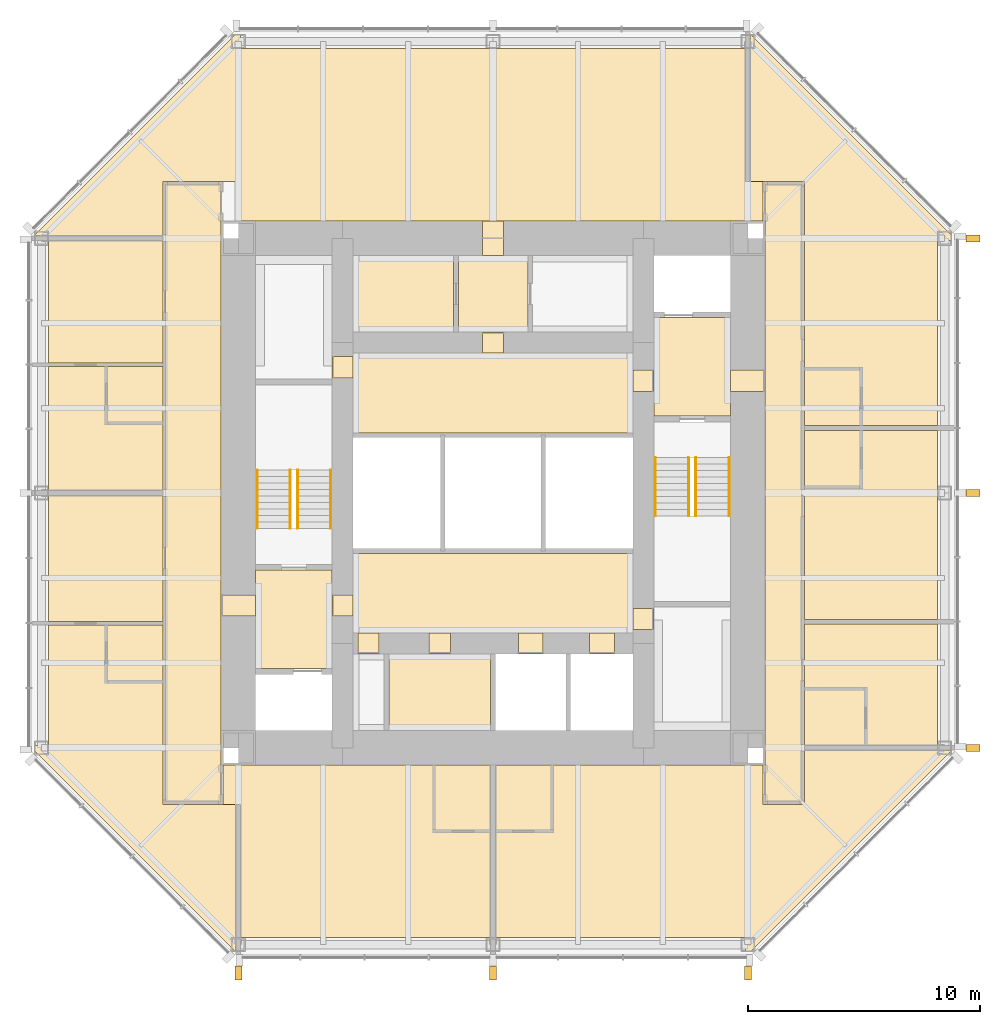
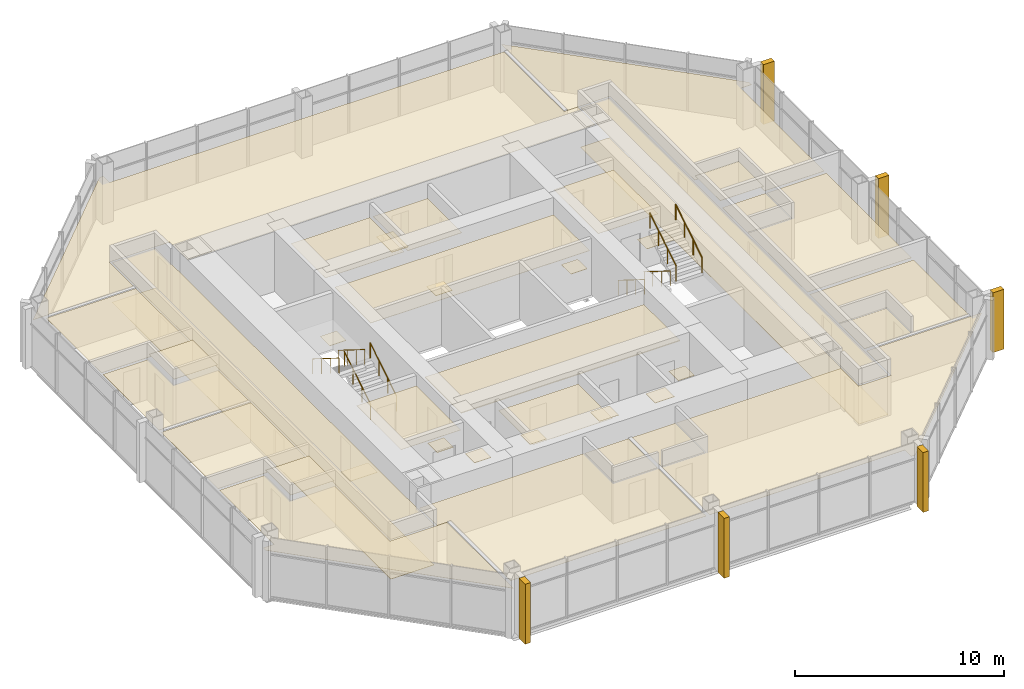
# One storey, part 11 of 11: 46 coverings, 8 railings.
"""IFC4 building model written with IfcOpenShell, lengths in metres."""

from ifc_helpers import new_model, si_unit, direction, frame, origin, origin_2d, place, context, subcontext, project, spatial, polyline, rectangle, circle, outline, extrude, material, layer, layer_set, type_object, element, save


model = new_model("IFC4")

# Units and contexts
model_context = context("Model", 3, precision=1e-05, world=origin(), true_north=direction((0.0, 1.0)))
body_context = subcontext(model_context, "Body", "Model", "MODEL_VIEW")
ifc_project = project(units=[si_unit("LENGTHUNIT", "METRE"), si_unit("AREAUNIT", "SQUARE_METRE"), si_unit("VOLUMEUNIT", "CUBIC_METRE"), si_unit("PLANEANGLEUNIT", "RADIAN"), si_unit("MASSUNIT", "GRAM", prefix="KILO")], contexts=[model_context])

# Site, building, storey
site_placement = place(None, origin())
site = spatial("IfcSite", under=ifc_project, at=site_placement, CompositionType="ELEMENT")
building_placement = place(site_placement, origin())
building = spatial("IfcBuilding", under=site, at=building_placement, Name="Trevanion Tower", CompositionType="ELEMENT")
storey_placement = place(building_placement, frame((0.0, 0.0, 253.699951171875)))
storey = spatial("IfcBuildingStorey", under=building, at=storey_placement, Name="L62", CompositionType="ELEMENT", Elevation=253.699951171875)

# Coverings
ifc_material_1 = material(Name="Fibrous plaster coffers on suspended steel grid", Category="steel")
ifc_layer_1 = layer(ifc_material_1, 0.050048828125)
ifc_layer_set_1 = layer_set([ifc_layer_1], Name="CL1 coffered fibrous plaster ceiling 50")
covering_type_1 = type_object("IfcCoveringType", Name="CL1 coffered fibrous plaster ceiling 50", PredefinedType="CEILING", material=ifc_layer_set_1)
covering_1_placement = place(storey_placement, frame((0.0, 0.0, 2.429931640625)))
element("IfcCovering", 1, at=covering_1_placement, inside=storey, type_object=covering_type_1, Name="CL1 L62-LBS", PredefinedType="CEILING", context=body_context, shape_type="SweptSolid", body=[
    extrude(outline(polyline([(6.050048828125, -6.050048828125), (6.050048828125, -2.60009765625), (-6.050048828125, -2.60009765625), (-6.050048828125, -6.050048828125), (6.050048828125, -6.050048828125)])), origin(), (0.0, 0.0, 1.0), 0.050048828125),
])
ifc_material_2 = material(Name="Mineral fibre acoustic tiles in exposed grid", Category="mineral fibre")
ifc_layer_2 = layer(ifc_material_2, 0.02001953125)
ifc_layer_set_2 = layer_set([ifc_layer_2], Name="CL2 acoustic tile ceiling 20")
covering_type_2 = type_object("IfcCoveringType", Name="CL2 acoustic tile ceiling 20", PredefinedType="CEILING", material=ifc_layer_set_2)
covering_2_placement = place(storey_placement, frame((0.0, 0.0, 2.4599609375)))
element("IfcCovering", 2, at=covering_2_placement, inside=storey, type_object=covering_type_2, Name="CL2 L62-LBN", PredefinedType="CEILING", context=body_context, shape_type="SweptSolid", body=[
    extrude(outline(polyline([(6.050048828125, 2.60009765625), (6.050048828125, 6.050048828125), (-6.050048828125, 6.050048828125), (-6.050048828125, 2.60009765625), (6.050048828125, 2.60009765625)])), origin(), (0.0, 0.0, 1.0), 0.02001953125),
])
covering_3_placement = place(storey_placement, frame((0.0, 0.0, 2.4599609375)))
element("IfcCovering", 3, at=covering_3_placement, inside=storey, type_object=covering_type_2, Name="CL2 L62-HKC", PredefinedType="CEILING", context=body_context, shape_type="SweptSolid", body=[
    extrude(outline(polyline([(1.5, 6.949951171875), (1.5, 10.25), (-1.5, 10.25), (-1.5, 6.949951171875), (1.5, 6.949951171875)])), origin(), (0.0, 0.0, 1.0), 0.02001953125),
])
covering_4_placement = place(storey_placement, frame((0.0, 0.0, 2.31298828125)))
element("IfcCovering", 4, at=covering_4_placement, inside=storey, type_object=covering_type_2, Name="CL2 L62-CO1", PredefinedType="CEILING", context=body_context, shape_type="SweptSolid", body=[
    extrude(outline(polyline([(-11.75, 13.35009765625), (-11.75, -13.35009765625), (-14.14990234375, -13.35009765625), (-14.14990234375, 13.35009765625), (-11.75, 13.35009765625)])), origin(), (0.0, 0.0, 1.0), 0.02001953125),
])
covering_5_placement = place(storey_placement, frame((0.0, 0.0, 2.31298828125)))
element("IfcCovering", 5, at=covering_5_placement, inside=storey, type_object=covering_type_2, Name="CL2 L62-CO2", PredefinedType="CEILING", context=body_context, shape_type="SweptSolid", body=[
    extrude(outline(polyline([(11.75, -13.35009765625), (11.75, 13.35009765625), (13.35009765625, 13.35009765625), (13.35009765625, -13.35009765625), (11.75, -13.35009765625)])), origin(), (0.0, 0.0, 1.0), 0.02001953125),
])
ifc_material_3 = material(Name="Gypsum plasterboard on suspended metal furring", Category="gypsum")
ifc_layer_3 = layer(ifc_material_3, 0.012939453125)
ifc_layer_set_3 = layer_set([ifc_layer_3], Name="CL3 plasterboard ceiling 13")
covering_type_3 = type_object("IfcCoveringType", Name="CL3 plasterboard ceiling 13", PredefinedType="CEILING", material=ifc_layer_set_3)
covering_6_placement = place(storey_placement, frame((0.0, 0.0, 2.699951171875)))
element("IfcCovering", 6, at=covering_6_placement, inside=storey, type_object=covering_type_3, Name="CL3 L62-FV1", PredefinedType="CEILING", context=body_context, shape_type="SweptSolid", body=[
    extrude(outline(polyline([(10.25, 3.324951171875), (10.25, 7.574951171875), (6.949951171875, 7.574951171875), (6.949951171875, 3.324951171875), (10.25, 3.324951171875)])), origin(), (0.0, 0.0, 1.0), 0.01318359375),
])
covering_7_placement = place(storey_placement, frame((0.0, 0.0, 2.699951171875)))
element("IfcCovering", 7, at=covering_7_placement, inside=storey, type_object=covering_type_3, Name="CL3 L62-FV2", PredefinedType="CEILING", context=body_context, shape_type="SweptSolid", body=[
    extrude(outline(polyline([(-10.25, -3.324951171875), (-10.25, -7.574951171875), (-6.949951171875, -7.574951171875), (-6.949951171875, -3.324951171875), (-10.25, -3.324951171875)])), origin(), (0.0, 0.0, 1.0), 0.01318359375),
])
covering_8_placement = place(storey_placement, frame((0.0, 0.0, 2.320068359375)))
element("IfcCovering", 8, at=covering_8_placement, inside=storey, type_object=covering_type_3, Name="CL3 L62-GA", PredefinedType="CEILING", context=body_context, shape_type="SweptSolid", body=[
    extrude(outline(polyline([(13.449951171875, -5.64892578125), (19.199951171875, -5.64892578125), (19.199951171875, -10.89990234375), (16.10009765625, -10.89990234375), (16.10009765625, -8.449951171875), (13.449951171875, -8.449951171875), (13.449951171875, -5.64892578125)])), origin(), (0.0, 0.0, 1.0), 0.012939453125),
])
covering_9_placement = place(storey_placement, frame((0.0, 0.0, 2.320068359375)))
element("IfcCovering", 9, at=covering_9_placement, inside=storey, type_object=covering_type_3, Name="CL3 L62-GJ", PredefinedType="CEILING", context=body_context, shape_type="SweptSolid", body=[
    extrude(outline(polyline([(13.449951171875, 0.257080078125), (15.89990234375, 0.257080078125), (15.89990234375, 2.70703125), (19.199951171875, 2.70703125), (19.199951171875, -5.448974609375), (13.449951171875, -5.448974609375), (13.449951171875, 0.257080078125)])), origin(), (0.0, 0.0, 1.0), 0.012939453125),
])
covering_10_placement = place(storey_placement, frame((0.0, 0.0, 2.320068359375)))
element("IfcCovering", 10, at=covering_10_placement, inside=storey, type_object=covering_type_3, Name="CL3 L62-GJ2", PredefinedType="CEILING", context=body_context, shape_type="SweptSolid", body=[
    extrude(outline(polyline([(11.10009765625, 13.449951171875), (11.10009765625, 19.800048828125), (11.124267578125, 19.800048828125), (19.800048828125, 11.124267578125), (19.800048828125, 10.89990234375), (19.199951171875, 10.89990234375), (19.199951171875, 2.906982421875), (15.89990234375, 2.906982421875), (15.89990234375, 5.35693359375), (13.449951171875, 5.35693359375), (13.449951171875, 13.449951171875), (11.10009765625, 13.449951171875)])), origin(), (0.0, 0.0, 1.0), 0.012939453125),
])
covering_11_placement = place(storey_placement, frame((0.0, 0.0, 2.320068359375)))
element("IfcCovering", 11, at=covering_11_placement, inside=storey, type_object=covering_type_3, Name="CL3 L62-CL", PredefinedType="CEILING", context=body_context, shape_type="SweptSolid", body=[
    extrude(outline(polyline([(-14.25, 11.10009765625), (-19.800048828125, 11.10009765625), (-19.800048828125, 11.124267578125), (-11.124267578125, 19.800048828125), (-10.89990234375, 19.800048828125), (-10.89990234375, 19.199951171875), (10.89990234375, 19.199951171875), (10.89990234375, 13.449951171875), (11.64990234375, 13.449951171875), (11.64990234375, 11.75), (-10.89990234375, 11.75), (-10.89990234375, 13.449951171875), (-14.25, 13.449951171875), (-14.25, 11.10009765625)])), origin(), (0.0, 0.0, 1.0), 0.012939453125),
])
covering_12_placement = place(storey_placement, frame((0.0, 0.0, 2.320068359375)))
element("IfcCovering", 12, at=covering_12_placement, inside=storey, type_object=covering_type_3, Name="CL3 L62-SL", PredefinedType="CEILING", context=body_context, shape_type="SweptSolid", body=[
    extrude(outline(polyline([(-14.25, 10.89990234375), (-14.25, 5.6240234375), (-19.199951171875, 5.6240234375), (-19.199951171875, 10.89990234375), (-14.25, 10.89990234375)])), origin(), (0.0, 0.0, 1.0), 0.012939453125),
])
covering_13_placement = place(storey_placement, frame((0.0, 0.0, 2.320068359375)))
element("IfcCovering", 13, at=covering_13_placement, inside=storey, type_object=covering_type_3, Name="CL3 L62-SB", PredefinedType="CEILING", context=body_context, shape_type="SweptSolid", body=[
    extrude(outline(polyline([(-14.25, 0.10009765625), (-19.199951171875, 0.10009765625), (-19.199951171875, 5.47412109375), (-16.699951171875, 5.47412109375), (-16.699951171875, 3.02392578125), (-14.25, 3.02392578125), (-14.25, 0.10009765625)])), origin(), (0.0, 0.0, 1.0), 0.012939453125),
])
covering_14_placement = place(storey_placement, frame((0.0, 0.0, 2.320068359375)))
element("IfcCovering", 14, at=covering_14_placement, inside=storey, type_object=covering_type_3, Name="CL3 L62-SL2", PredefinedType="CEILING", context=body_context, shape_type="SweptSolid", body=[
    extrude(outline(polyline([(-14.25, -0.10009765625), (-14.25, -5.5390625), (-19.199951171875, -5.5390625), (-19.199951171875, -0.10009765625), (-14.25, -0.10009765625)])), origin(), (0.0, 0.0, 1.0), 0.012939453125),
])
covering_15_placement = place(storey_placement, frame((0.0, 0.0, 2.320068359375)))
element("IfcCovering", 15, at=covering_15_placement, inside=storey, type_object=covering_type_3, Name="CL3 L62-SB2", PredefinedType="CEILING", context=body_context, shape_type="SweptSolid", body=[
    extrude(outline(polyline([(-11.10009765625, -13.449951171875), (-11.10009765625, -19.800048828125), (-11.124267578125, -19.800048828125), (-19.800048828125, -11.124267578125), (-19.800048828125, -10.89990234375), (-19.199951171875, -10.89990234375), (-19.199951171875, -5.68896484375), (-16.699951171875, -5.68896484375), (-16.699951171875, -8.138916015625), (-14.25, -8.138916015625), (-14.25, -13.449951171875), (-11.10009765625, -13.449951171875)])), origin(), (0.0, 0.0, 1.0), 0.012939453125),
])
covering_16_placement = place(storey_placement, frame((0.0, 0.0, 2.320068359375)))
element("IfcCovering", 16, at=covering_16_placement, inside=storey, type_object=covering_type_3, Name="CL3 L62-GB", PredefinedType="CEILING", context=body_context, shape_type="SweptSolid", body=[
    extrude(outline(polyline([(-0.10009765625, -19.199951171875), (-10.89990234375, -19.199951171875), (-10.89990234375, -13.449951171875), (-11.64990234375, -13.449951171875), (-11.64990234375, -11.75), (-2.550048828125, -11.75), (-2.550048828125, -14.60009765625), (-0.10009765625, -14.60009765625), (-0.10009765625, -19.199951171875)])), origin(), (0.0, 0.0, 1.0), 0.012939453125),
])
covering_17_placement = place(storey_placement, frame((0.0, 0.0, 2.320068359375)))
element("IfcCovering", 17, at=covering_17_placement, inside=storey, type_object=covering_type_3, Name="CL3 L62-GB2", PredefinedType="CEILING", context=body_context, shape_type="SweptSolid", body=[
    extrude(outline(polyline([(13.449951171875, -11.10009765625), (19.800048828125, -11.10009765625), (19.800048828125, -11.124267578125), (11.124267578125, -19.800048828125), (10.89990234375, -19.800048828125), (10.89990234375, -19.199951171875), (0.10009765625, -19.199951171875), (0.10009765625, -14.60009765625), (2.550048828125, -14.60009765625), (2.550048828125, -11.75), (11.64990234375, -11.75), (11.64990234375, -13.449951171875), (13.449951171875, -13.449951171875), (13.449951171875, -11.10009765625)])), origin(), (0.0, 0.0, 1.0), 0.012939453125),
])
ifc_material_4 = material(Name="Moisture-resistant gypsum board on suspended metal furring", Category="gypsum")
ifc_layer_4 = layer(ifc_material_4, 0.01611328125)
ifc_layer_set_4 = layer_set([ifc_layer_4], Name="CL4 moisture-resistant board ceiling 16")
covering_type_4 = type_object("IfcCoveringType", Name="CL4 moisture-resistant board ceiling 16", PredefinedType="CEILING", material=ifc_layer_set_4)
covering_18_placement = place(storey_placement, frame((0.0, 0.0, 2.60009765625)))
element("IfcCovering", 18, at=covering_18_placement, inside=storey, type_object=covering_type_4, Name="CL4 L62-SI2", PredefinedType="CEILING", context=body_context, shape_type="SweptSolid", body=[
    extrude(outline(polyline([(-0.10009765625, -10.25), (-0.10009765625, -6.949951171875), (-4.5, -6.949951171875), (-4.5, -10.25), (-0.10009765625, -10.25)])), origin(), (0.0, 0.0, 1.0), 0.015869140625),
])
covering_19_placement = place(storey_placement, frame((0.0, 0.0, 2.464111328125)))
element("IfcCovering", 19, at=covering_19_placement, inside=storey, type_object=covering_type_4, Name="CL4 L62-HK", PredefinedType="CEILING", context=body_context, shape_type="SweptSolid", body=[
    extrude(outline(polyline([(-1.699951171875, 6.949951171875), (-1.699951171875, 10.25), (-6.050048828125, 10.25), (-6.050048828125, 6.949951171875), (-1.699951171875, 6.949951171875)])), origin(), (0.0, 0.0, 1.0), 0.015869140625),
])
covering_20_placement = place(storey_placement, frame((0.0, 0.0, 2.317138671875)))
element("IfcCovering", 20, at=covering_20_placement, inside=storey, type_object=covering_type_4, Name="CL4 L62-EN", PredefinedType="CEILING", context=body_context, shape_type="SweptSolid", body=[
    extrude(outline(polyline([(16.050048828125, -10.89990234375), (16.050048828125, -8.5), (13.449951171875, -8.5), (13.449951171875, -10.89990234375), (16.050048828125, -10.89990234375)])), origin(), (0.0, 0.0, 1.0), 0.015869140625),
])
covering_21_placement = place(storey_placement, frame((0.0, 0.0, 2.317138671875)))
element("IfcCovering", 21, at=covering_21_placement, inside=storey, type_object=covering_type_4, Name="CL4 L62-EN2", PredefinedType="CEILING", context=body_context, shape_type="SweptSolid", body=[
    extrude(outline(polyline([(15.85009765625, 0.306884765625), (15.85009765625, 2.70703125), (13.449951171875, 2.70703125), (13.449951171875, 0.306884765625), (15.85009765625, 0.306884765625)])), origin(), (0.0, 0.0, 1.0), 0.015869140625),
])
covering_22_placement = place(storey_placement, frame((0.0, 0.0, 2.60009765625)))
element("IfcCovering", 22, at=covering_22_placement, inside=storey, type_object=covering_type_4, Name="CL4 L62-EN3", PredefinedType="CEILING", context=body_context, shape_type="SweptSolid", body=[
    extrude(outline(polyline([(15.85009765625, 2.906982421875), (15.85009765625, 5.306884765625), (13.449951171875, 5.306884765625), (13.449951171875, 2.906982421875), (15.85009765625, 2.906982421875)])), origin(), (0.0, 0.0, 1.0), 0.015869140625),
])
covering_23_placement = place(storey_placement, frame((0.0, 0.0, 2.60009765625)))
element("IfcCovering", 23, at=covering_23_placement, inside=storey, type_object=covering_type_4, Name="CL4 L62-SN", PredefinedType="CEILING", context=body_context, shape_type="SweptSolid", body=[
    extrude(outline(polyline([(-16.64990234375, 5.47412109375), (-16.64990234375, 3.073974609375), (-14.25, 3.073974609375), (-14.25, 5.47412109375), (-16.64990234375, 5.47412109375)])), origin(), (0.0, 0.0, 1.0), 0.015869140625),
])
covering_24_placement = place(storey_placement, frame((0.0, 0.0, 2.60009765625)))
element("IfcCovering", 24, at=covering_24_placement, inside=storey, type_object=covering_type_4, Name="CL4 L62-SN2", PredefinedType="CEILING", context=body_context, shape_type="SweptSolid", body=[
    extrude(outline(polyline([(-16.64990234375, -5.68896484375), (-16.64990234375, -8.089111328125), (-14.25, -8.089111328125), (-14.25, -5.68896484375), (-16.64990234375, -5.68896484375)])), origin(), (0.0, 0.0, 1.0), 0.015869140625),
])
covering_25_placement = place(storey_placement, frame((0.0, 0.0, 2.317138671875)))
element("IfcCovering", 25, at=covering_25_placement, inside=storey, type_object=covering_type_4, Name="CL4 L62-EN4", PredefinedType="CEILING", context=body_context, shape_type="SweptSolid", body=[
    extrude(outline(polyline([(-2.5, -14.550048828125), (-0.10009765625, -14.550048828125), (-0.10009765625, -11.75), (-2.5, -11.75), (-2.5, -14.550048828125)])), origin(), (0.0, 0.0, 1.0), 0.015869140625),
])
covering_26_placement = place(storey_placement, frame((0.0, 0.0, 2.317138671875)))
element("IfcCovering", 26, at=covering_26_placement, inside=storey, type_object=covering_type_4, Name="CL4 L62-EN5", PredefinedType="CEILING", context=body_context, shape_type="SweptSolid", body=[
    extrude(outline(polyline([(0.10009765625, -14.550048828125), (2.5, -14.550048828125), (2.5, -11.75), (0.10009765625, -11.75), (0.10009765625, -14.550048828125)])), origin(), (0.0, 0.0, 1.0), 0.015869140625),
])
ifc_material_5 = material(Name="Cast bronze fin on aluminium carrier", Category="aluminium")
covering_type_5 = type_object("IfcCoveringType", Name="F1 bronze fin", PredefinedType="CLADDING", material=ifc_material_5)
for number, where, z_axis, x_axis, name in (
    (27, (20.72509765625, -11.0, -0.18994140625), (0.0, 0.0, 1.0), (0.0, 1.0, 0.0), "F1 L62 east -11.0"),
    (28, (20.72509765625, 0.0, -0.18994140625), (0.0, 0.0, 1.0), (0.0, 1.0, 0.0), "F1 L62 east +0.0"),
    (29, (20.72509765625, 11.0, -0.18994140625), (0.0, 0.0, 1.0), (0.0, 1.0, 0.0), "F1 L62 east +11.0"),
    (30, (-11.0, -20.72509765625, -0.18994140625), (0.0, 0.0, 1.0), (1.0, 0.0, 0.0), "F1 L62 south -11.0"),
    (31, (0.0, -20.72509765625, -0.18994140625), (0.0, 0.0, 1.0), (1.0, 0.0, 0.0), "F1 L62 south +0.0"),
    (32, (11.0, -20.72509765625, -0.18994140625), (0.0, 0.0, 1.0), (1.0, 0.0, 0.0), "F1 L62 south +11.0"),
):
    element("IfcCovering", number, at=place(storey_placement, frame(where, z_axis=z_axis, x_axis=x_axis)), inside=storey, type_object=covering_type_5, Name=name, PredefinedType="CLADDING", context=body_context, shape_type="SweptSolid", body=[
        extrude(rectangle(XDim=0.300048828125, YDim=0.60009765625, at=origin_2d()), origin(), (0.0, 0.0, 1.0), 3.5),
    ])
ifc_material_6 = material(Name="Terrazzo, brass divider strips", Category="stone")
ifc_layer_5 = layer(ifc_material_6, 0.02001953125)
ifc_layer_set_5 = layer_set([ifc_layer_5], Name="FF1 terrazzo flooring")
covering_type_6 = type_object("IfcCoveringType", Name="FF1 terrazzo flooring", PredefinedType="FLOORING", material=ifc_layer_set_5)
covering_27_placement = place(storey_placement, origin())
element("IfcCovering", 33, at=covering_27_placement, inside=storey, type_object=covering_type_6, Name="FF1 threshold 62-001", PredefinedType="FLOORING", context=body_context, shape_type="SweptSolid", body=[
    extrude(outline(polyline([(11.75, 4.392578125), (11.75, 5.3076171875), (10.25, 5.3076171875), (10.25, 4.392578125), (11.75, 4.392578125)])), origin(), (0.0, 0.0, 1.0), 0.02001953125),
])
covering_28_placement = place(storey_placement, origin())
element("IfcCovering", 34, at=covering_28_placement, inside=storey, type_object=covering_type_6, Name="FF1 threshold 62-002", PredefinedType="FLOORING", context=body_context, shape_type="SweptSolid", body=[
    extrude(outline(polyline([(-11.75, -4.392578125), (-11.75, -5.3076171875), (-10.25, -5.3076171875), (-10.25, -4.392578125), (-11.75, -4.392578125)])), origin(), (0.0, 0.0, 1.0), 0.02001953125),
])
covering_29_placement = place(storey_placement, origin())
element("IfcCovering", 35, at=covering_29_placement, inside=storey, type_object=covering_type_6, Name="FF1 threshold 62-003", PredefinedType="FLOORING", context=body_context, shape_type="SweptSolid", body=[
    extrude(outline(polyline([(6.949951171875, 4.392578125), (6.949951171875, 5.3076171875), (6.050048828125, 5.3076171875), (6.050048828125, 4.392578125), (6.949951171875, 4.392578125)])), origin(), (0.0, 0.0, 1.0), 0.02001953125),
])
covering_30_placement = place(storey_placement, origin())
element("IfcCovering", 36, at=covering_30_placement, inside=storey, type_object=covering_type_6, Name="FF1 threshold 62-004", PredefinedType="FLOORING", context=body_context, shape_type="SweptSolid", body=[
    extrude(outline(polyline([(-6.949951171875, -4.392578125), (-6.949951171875, -5.3076171875), (-6.050048828125, -5.3076171875), (-6.050048828125, -4.392578125), (-6.949951171875, -4.392578125)])), origin(), (0.0, 0.0, 1.0), 0.02001953125),
])
covering_31_placement = place(storey_placement, origin())
element("IfcCovering", 37, at=covering_31_placement, inside=storey, type_object=covering_type_6, Name="FF1 threshold 62-009", PredefinedType="FLOORING", context=body_context, shape_type="SweptSolid", body=[
    extrude(outline(polyline([(6.949951171875, -5.889892578125), (6.949951171875, -4.97509765625), (6.050048828125, -4.97509765625), (6.050048828125, -5.889892578125), (6.949951171875, -5.889892578125)])), origin(), (0.0, 0.0, 1.0), 0.02001953125),
])
covering_32_placement = place(storey_placement, origin())
element("IfcCovering", 38, at=covering_32_placement, inside=storey, type_object=covering_type_6, Name="FF1 threshold 62-010", PredefinedType="FLOORING", context=body_context, shape_type="SweptSolid", body=[
    extrude(outline(polyline([(-6.949951171875, 5.889892578125), (-6.949951171875, 4.97509765625), (-6.050048828125, 4.97509765625), (-6.050048828125, 5.889892578125), (-6.949951171875, 5.889892578125)])), origin(), (0.0, 0.0, 1.0), 0.02001953125),
])
covering_33_placement = place(storey_placement, origin())
element("IfcCovering", 39, at=covering_33_placement, inside=storey, type_object=covering_type_6, Name="FF1 threshold 62-011", PredefinedType="FLOORING", context=body_context, shape_type="SweptSolid", body=[
    extrude(outline(polyline([(1.091552734375, -6.949951171875), (2.158447265625, -6.949951171875), (2.158447265625, -6.050048828125), (1.091552734375, -6.050048828125), (1.091552734375, -6.949951171875)])), origin(), (0.0, 0.0, 1.0), 0.02001953125),
])
covering_34_placement = place(storey_placement, origin())
element("IfcCovering", 40, at=covering_34_placement, inside=storey, type_object=covering_type_6, Name="FF1 threshold 62-012", PredefinedType="FLOORING", context=body_context, shape_type="SweptSolid", body=[
    extrude(outline(polyline([(4.16650390625, -6.949951171875), (5.2333984375, -6.949951171875), (5.2333984375, -6.050048828125), (4.16650390625, -6.050048828125), (4.16650390625, -6.949951171875)])), origin(), (0.0, 0.0, 1.0), 0.02001953125),
])
covering_35_placement = place(storey_placement, origin())
element("IfcCovering", 41, at=covering_35_placement, inside=storey, type_object=covering_type_6, Name="FF1 threshold 62-013", PredefinedType="FLOORING", context=body_context, shape_type="SweptSolid", body=[
    extrude(outline(polyline([(-5.83251953125, -6.949951171875), (-4.91748046875, -6.949951171875), (-4.91748046875, -6.050048828125), (-5.83251953125, -6.050048828125), (-5.83251953125, -6.949951171875)])), origin(), (0.0, 0.0, 1.0), 0.02001953125),
])
covering_36_placement = place(storey_placement, origin())
element("IfcCovering", 42, at=covering_36_placement, inside=storey, type_object=covering_type_6, Name="FF1 threshold 62-014", PredefinedType="FLOORING", context=body_context, shape_type="SweptSolid", body=[
    extrude(outline(polyline([(-2.757568359375, -6.949951171875), (-1.842529296875, -6.949951171875), (-1.842529296875, -6.050048828125), (-2.757568359375, -6.050048828125), (-2.757568359375, -6.949951171875)])), origin(), (0.0, 0.0, 1.0), 0.02001953125),
])
covering_37_placement = place(storey_placement, origin())
element("IfcCovering", 43, at=covering_37_placement, inside=storey, type_object=covering_type_6, Name="FF1 threshold 62-015", PredefinedType="FLOORING", context=body_context, shape_type="SweptSolid", body=[
    extrude(outline(polyline([(0.45751953125, 11.75), (-0.45751953125, 11.75), (-0.45751953125, 10.25), (0.45751953125, 10.25), (0.45751953125, 11.75)])), origin(), (0.0, 0.0, 1.0), 0.02001953125),
])
covering_38_placement = place(storey_placement, origin())
element("IfcCovering", 44, at=covering_38_placement, inside=storey, type_object=covering_type_6, Name="FF1 threshold 62-016", PredefinedType="FLOORING", context=body_context, shape_type="SweptSolid", body=[
    extrude(outline(polyline([(0.45751953125, 6.949951171875), (-0.45751953125, 6.949951171875), (-0.45751953125, 6.050048828125), (0.45751953125, 6.050048828125), (0.45751953125, 6.949951171875)])), origin(), (0.0, 0.0, 1.0), 0.02001953125),
])
ifc_material_7 = material(Name="Wool carpet on underlay", Category="textile")
ifc_layer_6 = layer(ifc_material_7, 0.011962890625)
ifc_layer_set_6 = layer_set([ifc_layer_6], Name="FF2 carpet flooring")
covering_type_7 = type_object("IfcCoveringType", Name="FF2 carpet flooring", PredefinedType="FLOORING", material=ifc_layer_set_6)
covering_39_placement = place(storey_placement, origin())
element("IfcCovering", 45, at=covering_39_placement, inside=storey, type_object=covering_type_7, Name="FF2 L62-CO1", PredefinedType="FLOORING", context=body_context, shape_type="SweptSolid", body=[
    extrude(outline(polyline([(-11.75, 13.35009765625), (-11.75, -13.35009765625), (-14.14990234375, -13.35009765625), (-14.14990234375, 13.35009765625), (-11.75, 13.35009765625)])), origin(), (0.0, 0.0, 1.0), 0.011962890625),
])
covering_40_placement = place(storey_placement, origin())
element("IfcCovering", 46, at=covering_40_placement, inside=storey, type_object=covering_type_7, Name="FF2 L62-CO2", PredefinedType="FLOORING", context=body_context, shape_type="SweptSolid", body=[
    extrude(outline(polyline([(11.75, -13.35009765625), (11.75, 13.35009765625), (13.35009765625, 13.35009765625), (13.35009765625, -13.35009765625), (11.75, -13.35009765625)])), origin(), (0.0, 0.0, 1.0), 0.011962890625),
])

# Railings
ifc_material_8 = material(Name="Stainless steel tube 40 mm", Category="steel")
railing_type = type_object("IfcRailingType", Name="HR1 handrail", PredefinedType="HANDRAIL", material=ifc_material_8)
for number, where, name in (
    (47, (7.010009765625, 1.52490234375, 0.175048828125), "HR1 ST1 L62 flight 1"),
    (48, (8.43994140625, 1.52490234375, 0.175048828125), "HR1 ST1 L62 flight 1"),
):
    element("IfcRailing", number, at=place(storey_placement, frame(where)), inside=storey, type_object=railing_type, Name=name, PredefinedType="HANDRAIL", context=body_context, shape_type="SweptSolid", body=[
        extrude(circle(Radius=0.02001953125, at=origin_2d()), frame((0.0, 0.0, 0.8798828125), z_axis=(0.0, -0.848007534815, 0.529984170421), x_axis=(1.0, 0.0, 0.0)), (0.0, 0.0, 1.0), 2.9716796875),
        extrude(circle(Radius=0.01513671875, at=origin_2d()), origin(), (0.0, 0.0, 1.0), 0.85986328125),
        extrude(circle(Radius=0.01513671875, at=origin_2d()), frame((0.0, -0.840087890625, 0.52490234375)), (0.0, 0.0, 1.0), 0.85986328125),
        extrude(circle(Radius=0.01513671875, at=origin_2d()), frame((0.0, -1.679931640625, 1.050048828125)), (0.0, 0.0, 1.0), 0.85986328125),
        extrude(circle(Radius=0.01513671875, at=origin_2d()), frame((0.0, -2.52001953125, 1.574951171875)), (0.0, 0.0, 1.0), 0.85986328125),
    ])
for number, where, name in (
    (49, (8.760009765625, -0.9951171875, 1.925048828125), "HR1 ST1 L62 flight 2"),
    (50, (10.18994140625, -0.9951171875, 1.925048828125), "HR1 ST1 L62 flight 2"),
    (51, (-7.010009765625, -1.52490234375, 0.175048828125), "HR1 ST2 L62 flight 1"),
    (52, (-8.43994140625, -1.52490234375, 0.175048828125), "HR1 ST2 L62 flight 1"),
):
    element("IfcRailing", number, at=place(storey_placement, frame(where)), inside=storey, type_object=railing_type, Name=name, PredefinedType="HANDRAIL", context=body_context, shape_type="SweptSolid", body=[
        extrude(circle(Radius=0.02001953125, at=origin_2d()), frame((0.0, 0.0, 0.8798828125), z_axis=(0.0, 0.848007534815, 0.529984170421), x_axis=(-1.0, 0.0, 0.0)), (0.0, 0.0, 1.0), 2.9716796875),
        extrude(circle(Radius=0.01513671875, at=origin_2d()), origin(), (0.0, 0.0, 1.0), 0.85986328125),
        extrude(circle(Radius=0.01513671875, at=origin_2d()), frame((0.0, 0.840087890625, 0.52490234375)), (0.0, 0.0, 1.0), 0.85986328125),
        extrude(circle(Radius=0.01513671875, at=origin_2d()), frame((0.0, 1.679931640625, 1.050048828125)), (0.0, 0.0, 1.0), 0.85986328125),
        extrude(circle(Radius=0.01513671875, at=origin_2d()), frame((0.0, 2.52001953125, 1.574951171875)), (0.0, 0.0, 1.0), 0.85986328125),
    ])
for number, where, name in (
    (53, (-8.760009765625, 0.9951171875, 1.925048828125), "HR1 ST2 L62 flight 2"),
    (54, (-10.18994140625, 0.9951171875, 1.925048828125), "HR1 ST2 L62 flight 2"),
):
    element("IfcRailing", number, at=place(storey_placement, frame(where)), inside=storey, type_object=railing_type, Name=name, PredefinedType="HANDRAIL", context=body_context, shape_type="SweptSolid", body=[
        extrude(circle(Radius=0.02001953125, at=origin_2d()), frame((0.0, 0.0, 0.8798828125), z_axis=(0.0, -0.848007534815, 0.529984170421), x_axis=(1.0, 0.0, 0.0)), (0.0, 0.0, 1.0), 2.9716796875),
        extrude(circle(Radius=0.01513671875, at=origin_2d()), origin(), (0.0, 0.0, 1.0), 0.85986328125),
        extrude(circle(Radius=0.01513671875, at=origin_2d()), frame((0.0, -0.840087890625, 0.52490234375)), (0.0, 0.0, 1.0), 0.85986328125),
        extrude(circle(Radius=0.01513671875, at=origin_2d()), frame((0.0, -1.679931640625, 1.050048828125)), (0.0, 0.0, 1.0), 0.85986328125),
        extrude(circle(Radius=0.01513671875, at=origin_2d()), frame((0.0, -2.52001953125, 1.574951171875)), (0.0, 0.0, 1.0), 0.85986328125),
    ])

save(model, "model.ifc")
